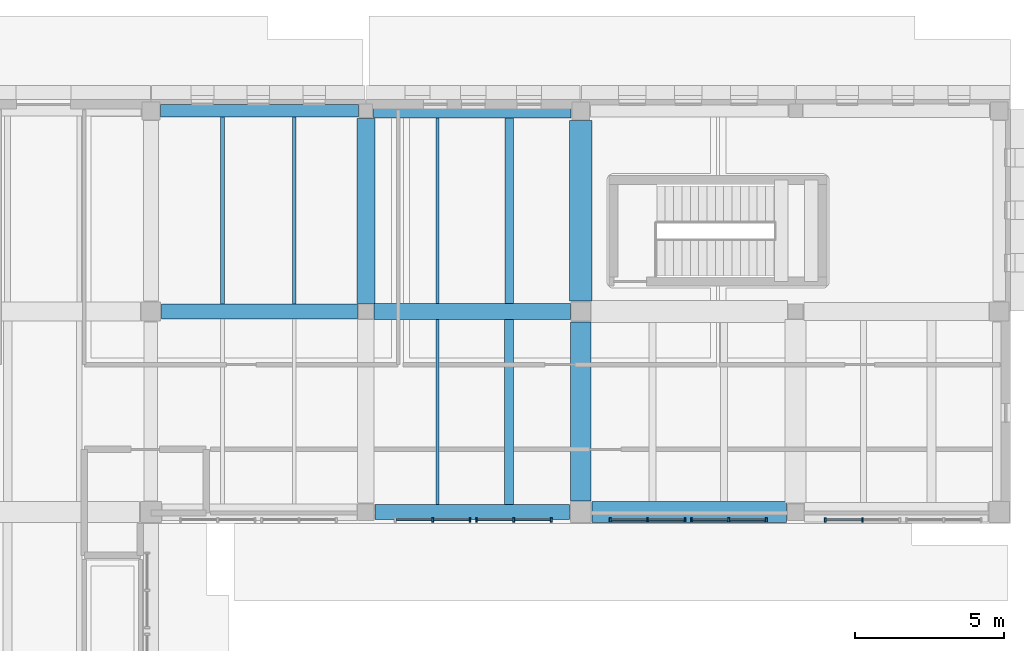
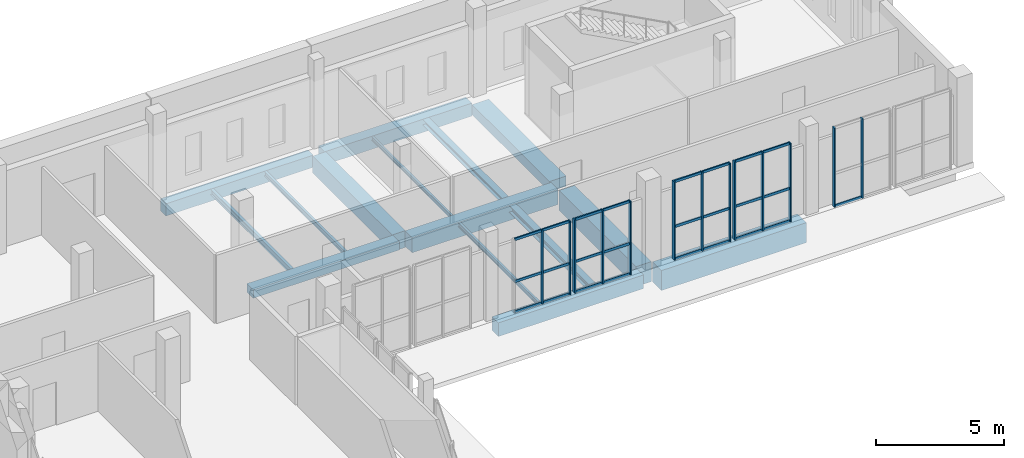
# One storey, part 24 of 77: 38 members, 15 beams, 5 elements without a shape of their own.
"""IFC4 building model written with IfcOpenShell, lengths in metres."""

from ifc_helpers import new_model, si_unit, direction, frame, origin, origin_2d, place, context, subcontext, project, spatial, rectangle, i_section, extrude, material, layer, layer_set, material_profile, profile_set, type_object, element, aggregate, save


model = new_model("IFC4")

# Units and contexts
model_context = context("Model", 3, precision=1e-05, world=origin(), true_north=direction((0.0, 1.0)))
body_context = subcontext(model_context, "Body", "Model", "MODEL_VIEW")
ifc_project = project(units=[si_unit("LENGTHUNIT", "METRE"), si_unit("AREAUNIT", "SQUARE_METRE"), si_unit("VOLUMEUNIT", "CUBIC_METRE"), si_unit("PLANEANGLEUNIT", "RADIAN"), si_unit("MASSUNIT", "GRAM", prefix="KILO")], contexts=[model_context])

# Site, building, storey
site_placement = place(None, origin())
site = spatial("IfcSite", under=ifc_project, at=site_placement, CompositionType="ELEMENT")
building_placement = place(site_placement, origin())
building = spatial("IfcBuilding", under=site, at=building_placement, Name="Vardoun Plaza Health Centre", CompositionType="ELEMENT")
storey_placement = place(building_placement, origin())
storey = spatial("IfcBuildingStorey", under=building, at=storey_placement, Name="L00", CompositionType="ELEMENT", Elevation=0.0)

# Beams
ifc_material_1 = material(Name="Concrete C35/45", Category="concrete")
ifc_material_profile_1 = material_profile(ifc_material_1, rectangle(XDim=0.419921875, YDim=0.580078125, at=origin_2d()), Name="RC-BM 420x580")
ifc_profile_set_1 = profile_set([ifc_material_profile_1], Name="Concrete C35/45")
beam_type_1 = type_object("IfcBeamType", Name="B-10", PredefinedType="SPANDREL", material=ifc_profile_set_1)
beam_1_placement = place(storey_placement, frame((19.22509765625, 114.919921875, -0.554931640625), z_axis=(1.0, 0.0, 0.0), x_axis=(0.0, 1.0, 0.0)))
element("IfcBeam", 1, at=beam_1_placement, inside=storey, type_object=beam_type_1, Name="V3 L00 Beam B-V3-L00-X15", PredefinedType="SPANDREL", context=body_context, shape_type="SweptSolid", body=[
    extrude(rectangle(XDim=0.419921875, YDim=0.580078125, at=origin_2d()), origin(), (0.0, 0.0, 1.0), 6.625),
])
ifc_material_2 = material(Name="Concrete C35/45", Category="concrete")
ifc_material_profile_2 = material_profile(ifc_material_2, rectangle(XDim=0.47998046875, YDim=0.6201171875, at=origin_2d()), Name="RC-BM 480x620")
ifc_profile_set_2 = profile_set([ifc_material_profile_2], Name="Concrete C35/45")
beam_type_2 = type_object("IfcBeamType", Name="B-12", PredefinedType="SPANDREL", material=ifc_profile_set_2)
beam_2_placement = place(storey_placement, frame((26.35009765625, 114.919921875, -0.574951171875), z_axis=(1.0, 0.0, 0.0), x_axis=(0.0, 1.0, 0.0)))
element("IfcBeam", 2, at=beam_2_placement, inside=storey, type_object=beam_type_2, Name="V3 L00 Beam B-V3-L00-X18", PredefinedType="SPANDREL", context=body_context, shape_type="SweptSolid", body=[
    extrude(rectangle(XDim=0.47998046875, YDim=0.6201171875, at=origin_2d()), origin(), (0.0, 0.0, 1.0), 6.625),
])
ifc_material_3 = material(Name="Concrete C35/45", Category="concrete")
ifc_material_profile_3 = material_profile(ifc_material_3, rectangle(XDim=0.5, YDim=0.39990234375, at=origin_2d()), Name="RC-BM 500x400")
ifc_profile_set_3 = profile_set([ifc_material_profile_3], Name="Concrete C35/45")
beam_type_3 = type_object("IfcBeamType", Name="B-02", PredefinedType="BEAM", material=ifc_profile_set_3)
beam_3_placement = place(storey_placement, frame((19.25, 108.199951171875, -0.465087890625), z_axis=(1.0, 0.0, 0.0), x_axis=(0.0, 1.0, 0.0)))
element("IfcBeam", 3, at=beam_3_placement, inside=storey, type_object=beam_type_3, Name="V3 L00 Beam B-V3-L00-X14", PredefinedType="BEAM", context=body_context, shape_type="SweptSolid", body=[
    extrude(rectangle(XDim=0.5, YDim=0.39990234375, at=origin_2d()), origin(), (0.0, 0.0, 1.0), 6.574951171875),
])
ifc_material_4 = material(Name="Concrete C40/50", Category="concrete")
ifc_material_profile_4 = material_profile(ifc_material_4, rectangle(XDim=0.5, YDim=0.64990234375, at=origin_2d()), Name="RC-BM 500x650")
ifc_profile_set_4 = profile_set([ifc_material_profile_4], Name="Concrete C40/50")
beam_type_4 = type_object("IfcBeamType", Name="B-13", PredefinedType="BEAM", material=ifc_profile_set_4)
beam_4_placement = place(storey_placement, frame((26.39990234375, 101.47998046875, -0.590087890625), z_axis=(1.0, 0.0, 0.0), x_axis=(0.0, 1.0, 0.0)))
element("IfcBeam", 4, at=beam_4_placement, inside=storey, type_object=beam_type_4, Name="V3 L00 Beam B-V3-L00-X16", PredefinedType="BEAM", context=body_context, shape_type="SweptSolid", body=[
    extrude(rectangle(XDim=0.5, YDim=0.64990234375, at=origin_2d()), origin(), (0.0, 0.0, 1.0), 6.525146484375),
])
ifc_material_5 = material(Name="Concrete C40/50", Category="concrete")
ifc_material_profile_5 = material_profile(ifc_material_5, rectangle(XDim=0.550048828125, YDim=0.719970703125, at=origin_2d()), Name="RC-BM 550x720")
ifc_profile_set_5 = profile_set([ifc_material_profile_5], Name="Concrete C40/50")
beam_type_5 = type_object("IfcBeamType", Name="B-14", PredefinedType="BEAM", material=ifc_profile_set_5)
beam_5_placement = place(storey_placement, frame((26.375, 108.199951171875, -0.625), z_axis=(1.0, 0.0, 0.0), x_axis=(0.0, 1.0, 0.0)))
element("IfcBeam", 5, at=beam_5_placement, inside=storey, type_object=beam_type_5, Name="V3 L00 Beam B-V3-L00-X17", PredefinedType="BEAM", context=body_context, shape_type="SweptSolid", body=[
    extrude(rectangle(XDim=0.550048828125, YDim=0.719970703125, at=origin_2d()), origin(), (0.0, 0.0, 1.0), 6.574951171875),
])
ifc_material_6 = material(Name="Concrete C40/50", Category="concrete")
ifc_material_profile_6 = material_profile(ifc_material_6, rectangle(XDim=0.60009765625, YDim=0.800048828125, at=origin_2d()), Name="RC-BM 600x800")
ifc_profile_set_6 = profile_set([ifc_material_profile_6], Name="Concrete C40/50")
beam_type_6 = type_object("IfcBeamType", Name="B-15", PredefinedType="JOIST", material=ifc_profile_set_6)
beam_6_placement = place(storey_placement, frame((26.10009765625, 108.47509765625, -0.6650390625), z_axis=(0.0, 1.0, 0.0), x_axis=(-1.0, 0.0, 0.0)))
element("IfcBeam", 6, at=beam_6_placement, inside=storey, type_object=beam_type_6, Name="V3 L00 Beam B-V3-L00-Y40", PredefinedType="JOIST", context=body_context, shape_type="SweptSolid", body=[
    extrude(rectangle(XDim=0.60009765625, YDim=0.800048828125, at=origin_2d()), origin(), (0.0, 0.0, 1.0), 6.19482421875),
])
ifc_material_7 = material(Name="Concrete C40/50", Category="concrete")
ifc_material_profile_7 = material_profile(ifc_material_7, rectangle(XDim=0.699951171875, YDim=0.949951171875, at=origin_2d()), Name="RC-BM 700x950")
ifc_profile_set_7 = profile_set([ifc_material_profile_7], Name="Concrete C40/50")
beam_type_7 = type_object("IfcBeamType", Name="B-16", PredefinedType="LINTEL", material=ifc_profile_set_7)
beam_7_placement = place(storey_placement, frame((33.675048828125, 101.47998046875, -0.739990234375), z_axis=(1.0, 0.0, 0.0), x_axis=(0.0, 1.0, 0.0)))
element("IfcBeam", 7, at=beam_7_placement, inside=storey, type_object=beam_type_7, Name="V3 L00 Beam B-V3-L00-X19", PredefinedType="LINTEL", context=body_context, shape_type="SweptSolid", body=[
    extrude(rectangle(XDim=0.699951171875, YDim=0.949951171875, at=origin_2d()), origin(), (0.0, 0.0, 1.0), 6.52490234375),
])
beam_8_placement = place(storey_placement, frame((33.300048828125, 101.85498046875, -0.739990234375), z_axis=(0.0, 1.0, 0.0), x_axis=(-1.0, 0.0, 0.0)))
element("IfcBeam", 8, at=beam_8_placement, inside=storey, type_object=beam_type_7, Name="V3 L00 Beam B-V3-L00-Y41", PredefinedType="LINTEL", context=body_context, shape_type="SweptSolid", body=[
    extrude(rectangle(XDim=0.699951171875, YDim=0.949951171875, at=origin_2d()), origin(), (0.0, 0.0, 1.0), 5.9951171875),
])
ifc_material_8 = material(Name="Concrete C35/45", Category="concrete")
ifc_material_profile_8 = material_profile(ifc_material_8, rectangle(XDim=0.75, YDim=0.47998046875, at=origin_2d()), Name="RC-BM 750x480")
ifc_profile_set_8 = profile_set([ifc_material_profile_8], Name="Concrete C35/45")
beam_type_8 = type_object("IfcBeamType", Name="B-07", PredefinedType="BEAM", material=ifc_profile_set_8)
beam_9_placement = place(storey_placement, frame((33.300048828125, 108.550048828125, -0.5048828125), z_axis=(0.0, 1.0, 0.0), x_axis=(-1.0, 0.0, 0.0)))
element("IfcBeam", 9, at=beam_9_placement, inside=storey, type_object=beam_type_8, Name="V3 L00 Beam B-V3-L00-Y42", PredefinedType="BEAM", context=body_context, shape_type="SweptSolid", body=[
    extrude(rectangle(XDim=0.75, YDim=0.47998046875, at=origin_2d()), origin(), (0.0, 0.0, 1.0), 6.044921875),
])
ifc_material_9 = material(Name="Steel S355J2", Category="steel")
ifc_material_profile_9 = material_profile(ifc_material_9, i_section(OverallWidth=0.280029296875, OverallDepth=0.27001953125, WebThickness=0.008056640625, FlangeThickness=0.012939453125, FilletRadius=0.02392578125, at=origin_2d()), Name="HEA 280")
ifc_profile_set_9 = profile_set([ifc_material_profile_9], Name="Steel S355J2")
beam_type_9 = type_object("IfcBeamType", Name="SB-06", PredefinedType="BEAM", material=ifc_profile_set_9)
beam_10_placement = place(storey_placement, frame((30.900146484375, 108.47509765625, -0.39990234375), z_axis=(0.0, 1.0, 0.0), x_axis=(-1.0, 0.0, 0.0)))
element("IfcBeam", 10, at=beam_10_placement, inside=storey, type_object=beam_type_9, Name="V3 L00 Secondary Floor Beam SJ-V3-L00-24", PredefinedType="BEAM", context=body_context, shape_type="SweptSolid", body=[
    extrude(i_section(OverallWidth=0.280029296875, OverallDepth=0.27001953125, WebThickness=0.008056640625, FlangeThickness=0.012939453125, FilletRadius=0.02392578125, at=origin_2d()), origin(), (0.0, 0.0, 1.0), 6.204833984375),
])
ifc_material_10 = material(Name="Steel S355J2", Category="steel")
ifc_material_profile_10 = material_profile(ifc_material_10, i_section(OverallWidth=0.300048828125, OverallDepth=0.330078125, WebThickness=0.009521484375, FlangeThickness=0.0166015625, FilletRadius=0.027099609375, at=origin_2d()), Name="HEA 340")
ifc_profile_set_10 = profile_set([ifc_material_profile_10], Name="Steel S355J2")
beam_type_10 = type_object("IfcBeamType", Name="SB-04", PredefinedType="BEAM", material=ifc_profile_set_10)
beam_11_placement = place(storey_placement, frame((30.900146484375, 101.72998046875, -0.429931640625), z_axis=(0.0, 1.0, 0.0), x_axis=(-1.0, 0.0, 0.0)))
element("IfcBeam", 11, at=beam_11_placement, inside=storey, type_object=beam_type_10, Name="V3 L00 Secondary Floor Beam SJ-V3-L00-23", PredefinedType="BEAM", context=body_context, shape_type="SweptSolid", body=[
    extrude(i_section(OverallWidth=0.300048828125, OverallDepth=0.330078125, WebThickness=0.009521484375, FlangeThickness=0.0166015625, FilletRadius=0.027099609375, at=origin_2d()), origin(), (0.0, 0.0, 1.0), 6.195068359375),
])
ifc_material_11 = material(Name="Steel S355J2", Category="steel")
ifc_material_profile_11 = material_profile(ifc_material_11, i_section(OverallWidth=0.091064453125, OverallDepth=0.179931640625, WebThickness=0.00537109375, FlangeThickness=0.008056640625, FilletRadius=0.009033203125, at=origin_2d()), Name="IPE 180")
ifc_profile_set_11 = profile_set([ifc_material_profile_11], Name="Steel S355J2")
beam_type_11 = type_object("IfcBeamType", Name="SB-20", PredefinedType="SPANDREL", material=ifc_profile_set_11)
beam_12_placement = place(storey_placement, frame((28.499755859375, 108.47509765625, -0.35498046875), z_axis=(0.0, 1.0, 0.0), x_axis=(-1.0, 0.0, 0.0)))
element("IfcBeam", 12, at=beam_12_placement, inside=storey, type_object=beam_type_11, Name="V3 L00 Secondary Floor Beam SJ-V3-L00-22", PredefinedType="SPANDREL", context=body_context, shape_type="SweptSolid", body=[
    extrude(i_section(OverallWidth=0.091064453125, OverallDepth=0.179931640625, WebThickness=0.00537109375, FlangeThickness=0.008056640625, FilletRadius=0.009033203125, at=origin_2d()), origin(), (0.0, 0.0, 1.0), 6.204833984375),
])
ifc_material_12 = material(Name="Steel S355J2", Category="steel")
ifc_material_profile_12 = material_profile(ifc_material_12, i_section(OverallWidth=0.10009765625, OverallDepth=0.199951171875, WebThickness=0.005615234375, FlangeThickness=0.008544921875, FilletRadius=0.011962890625, at=origin_2d()), Name="IPE 200")
ifc_profile_set_12 = profile_set([ifc_material_profile_12], Name="Steel S355J2")
beam_type_12 = type_object("IfcBeamType", Name="SB-19", PredefinedType="SPANDREL", material=ifc_profile_set_12)
beam_13_placement = place(storey_placement, frame((28.499755859375, 101.72998046875, -0.364990234375), z_axis=(0.0, 1.0, 0.0), x_axis=(-1.0, 0.0, 0.0)))
element("IfcBeam", 13, at=beam_13_placement, inside=storey, type_object=beam_type_12, Name="V3 L00 Secondary Floor Beam SJ-V3-L00-21", PredefinedType="SPANDREL", context=body_context, shape_type="SweptSolid", body=[
    extrude(i_section(OverallWidth=0.10009765625, OverallDepth=0.199951171875, WebThickness=0.005615234375, FlangeThickness=0.008544921875, FilletRadius=0.011962890625, at=origin_2d()), origin(), (0.0, 0.0, 1.0), 6.195068359375),
])
ifc_material_13 = material(Name="Steel S355J2", Category="steel")
ifc_material_profile_13 = material_profile(ifc_material_13, i_section(OverallWidth=0.110107421875, OverallDepth=0.219970703125, WebThickness=0.005859375, FlangeThickness=0.00927734375, FilletRadius=0.011962890625, at=origin_2d()), Name="IPE 220")
ifc_profile_set_13 = profile_set([ifc_material_profile_13], Name="Steel S355J2")
beam_type_13 = type_object("IfcBeamType", Name="SB-18", PredefinedType="JOIST", material=ifc_profile_set_13)
beam_14_placement = place(storey_placement, frame((23.7001953125, 108.449951171875, -0.375), z_axis=(0.0, 1.0, 0.0), x_axis=(-1.0, 0.0, 0.0)))
element("IfcBeam", 14, at=beam_14_placement, inside=storey, type_object=beam_type_13, Name="V3 L00 Secondary Floor Beam SJ-V3-L00-20", PredefinedType="JOIST", context=body_context, shape_type="SweptSolid", body=[
    extrude(i_section(OverallWidth=0.110107421875, OverallDepth=0.219970703125, WebThickness=0.005859375, FlangeThickness=0.00927734375, FilletRadius=0.011962890625, at=origin_2d()), origin(), (0.0, 0.0, 1.0), 6.260009765625),
])
ifc_material_14 = material(Name="Steel S355J2", Category="steel")
ifc_material_profile_14 = material_profile(ifc_material_14, i_section(OverallWidth=0.135009765625, OverallDepth=0.27001953125, WebThickness=0.006591796875, FlangeThickness=0.01025390625, FilletRadius=0.014892578125, at=origin_2d()), Name="IPE 270")
ifc_profile_set_14 = profile_set([ifc_material_profile_14], Name="Steel S355J2")
beam_type_14 = type_object("IfcBeamType", Name="SB-16", PredefinedType="JOIST", material=ifc_profile_set_14)
beam_15_placement = place(storey_placement, frame((21.2998046875, 108.449951171875, -0.39990234375), z_axis=(0.0, 1.0, 0.0), x_axis=(-1.0, 0.0, 0.0)))
element("IfcBeam", 15, at=beam_15_placement, inside=storey, type_object=beam_type_14, Name="V3 L00 Secondary Floor Beam SJ-V3-L00-18", PredefinedType="JOIST", context=body_context, shape_type="SweptSolid", body=[
    extrude(i_section(OverallWidth=0.135009765625, OverallDepth=0.27001953125, WebThickness=0.006591796875, FlangeThickness=0.01025390625, FilletRadius=0.014892578125, at=origin_2d()), origin(), (0.0, 0.0, 1.0), 6.260009765625),
])

# Curtain wall, members
ifc_material_15 = material(Name="Aluminium Alloy EN AW-6063-T6 and Low-E Glass", Category="aluminium")
ifc_layer = layer(ifc_material_15, 0.159912109375)
ifc_layer_set = layer_set([ifc_layer], Name="Aluminium Alloy EN AW-6063-T6 and Low-E Glass")
curtain_wall_type = type_object("IfcCurtainWallType", Name="CW-02", PredefinedType="USERDEFINED", material=ifc_layer_set)
curtain_wall_1_placement = place(storey_placement, origin())
curtain_wall_1 = element("IfcCurtainWall", 16, at=curtain_wall_1_placement, inside=storey, type_object=curtain_wall_type, Name="Curtain Wall CW-V3-046", ObjectType="COURTYARD_CURTAIN_WALL", PredefinedType="USERDEFINED")
ifc_material_16 = material(Name="Aluminium Alloy EN AW-6063-T6", Category="aluminium")
ifc_material_profile_15 = material_profile(ifc_material_16, rectangle(XDim=0.159912109375, YDim=0.06005859375, at=origin_2d()), Name="CWM 60x160")
ifc_profile_set_15 = profile_set([ifc_material_profile_15], Name="Aluminium Alloy EN AW-6063-T6")
member_type_1 = type_object("IfcMemberType", Name="CW-M1", PredefinedType="MULLION", material=ifc_profile_set_15)
member_1_placement = place(storey_placement, frame((42.739990234375, 101.219970703125, 0.0), z_axis=(0.0, 0.0, 1.0), x_axis=(0.0, -1.0, 0.0)))
member_1 = element("IfcMember", 17, at=member_1_placement, type_object=member_type_1, Name="CW-V3-046 mullion 2", PredefinedType="MULLION", context=body_context, shape_type="SweptSolid", body=[
    extrude(rectangle(XDim=0.159912109375, YDim=0.06005859375, at=origin_2d()), origin(), (0.0, 0.0, 1.0), 3.77001953125),
])
member_2_placement = place(storey_placement, frame((41.489990234375, 101.219970703125, 0.0), z_axis=(0.0, 0.0, 1.0), x_axis=(0.0, -1.0, 0.0)))
member_2 = element("IfcMember", 18, at=member_2_placement, type_object=member_type_1, Name="CW-V3-046 mullion 3", PredefinedType="MULLION", context=body_context, shape_type="SweptSolid", body=[
    extrude(rectangle(XDim=0.159912109375, YDim=0.06005859375, at=origin_2d()), origin(), (0.0, 0.0, 1.0), 3.77001953125),
])

curtain_wall_2_placement = place(storey_placement, origin())
curtain_wall_2 = element("IfcCurtainWall", 19, at=curtain_wall_2_placement, inside=storey, type_object=curtain_wall_type, Name="Curtain Wall CW-V3-047", ObjectType="COURTYARD_CURTAIN_WALL", PredefinedType="USERDEFINED")
member_3_placement = place(storey_placement, frame((39.510009765625, 101.219970703125, 0.0), z_axis=(0.0, 0.0, 1.0), x_axis=(0.0, -1.0, 0.0)))
member_3 = element("IfcMember", 20, at=member_3_placement, type_object=member_type_1, Name="CW-V3-047 mullion 1", PredefinedType="MULLION", context=body_context, shape_type="SweptSolid", body=[
    extrude(rectangle(XDim=0.159912109375, YDim=0.06005859375, at=origin_2d()), origin(), (0.0, 0.0, 1.0), 3.739990234375),
])
member_4_placement = place(storey_placement, frame((38.260009765625, 101.219970703125, 0.0), z_axis=(0.0, 0.0, 1.0), x_axis=(0.0, -1.0, 0.0)))
member_4 = element("IfcMember", 21, at=member_4_placement, type_object=member_type_1, Name="CW-V3-047 mullion 2", PredefinedType="MULLION", context=body_context, shape_type="SweptSolid", body=[
    extrude(rectangle(XDim=0.159912109375, YDim=0.06005859375, at=origin_2d()), origin(), (0.0, 0.0, 1.0), 3.739990234375),
])
member_5_placement = place(storey_placement, frame((37.010009765625, 101.219970703125, 0.0), z_axis=(0.0, 0.0, 1.0), x_axis=(0.0, -1.0, 0.0)))
member_5 = element("IfcMember", 22, at=member_5_placement, type_object=member_type_1, Name="CW-V3-047 mullion 3", PredefinedType="MULLION", context=body_context, shape_type="SweptSolid", body=[
    extrude(rectangle(XDim=0.159912109375, YDim=0.06005859375, at=origin_2d()), origin(), (0.0, 0.0, 1.0), 3.739990234375),
])

curtain_wall_3_placement = place(storey_placement, origin())
curtain_wall_3 = element("IfcCurtainWall", 23, at=curtain_wall_3_placement, inside=storey, type_object=curtain_wall_type, Name="Curtain Wall CW-V3-048", ObjectType="COURTYARD_CURTAIN_WALL", PredefinedType="USERDEFINED")
member_6_placement = place(storey_placement, frame((36.7900390625, 101.219970703125, 0.0), z_axis=(0.0, 0.0, 1.0), x_axis=(0.0, -1.0, 0.0)))
member_6 = element("IfcMember", 24, at=member_6_placement, type_object=member_type_1, Name="CW-V3-048 mullion 1", PredefinedType="MULLION", context=body_context, shape_type="SweptSolid", body=[
    extrude(rectangle(XDim=0.159912109375, YDim=0.06005859375, at=origin_2d()), origin(), (0.0, 0.0, 1.0), 3.739990234375),
])
member_7_placement = place(storey_placement, frame((35.5400390625, 101.219970703125, 0.0), z_axis=(0.0, 0.0, 1.0), x_axis=(0.0, -1.0, 0.0)))
member_7 = element("IfcMember", 25, at=member_7_placement, type_object=member_type_1, Name="CW-V3-048 mullion 2", PredefinedType="MULLION", context=body_context, shape_type="SweptSolid", body=[
    extrude(rectangle(XDim=0.159912109375, YDim=0.06005859375, at=origin_2d()), origin(), (0.0, 0.0, 1.0), 3.739990234375),
])
member_8_placement = place(storey_placement, frame((34.2900390625, 101.219970703125, 0.0), z_axis=(0.0, 0.0, 1.0), x_axis=(0.0, -1.0, 0.0)))
member_8 = element("IfcMember", 26, at=member_8_placement, type_object=member_type_1, Name="CW-V3-048 mullion 3", PredefinedType="MULLION", context=body_context, shape_type="SweptSolid", body=[
    extrude(rectangle(XDim=0.159912109375, YDim=0.06005859375, at=origin_2d()), origin(), (0.0, 0.0, 1.0), 3.739990234375),
])

curtain_wall_4_placement = place(storey_placement, origin())
curtain_wall_4 = element("IfcCurtainWall", 27, at=curtain_wall_4_placement, inside=storey, type_object=curtain_wall_type, Name="Curtain Wall CW-V3-049", ObjectType="COURTYARD_CURTAIN_WALL", PredefinedType="USERDEFINED")
member_9_placement = place(storey_placement, frame((32.31005859375, 101.219970703125, 0.0), z_axis=(0.0, 0.0, 1.0), x_axis=(0.0, -1.0, 0.0)))
member_9 = element("IfcMember", 28, at=member_9_placement, type_object=member_type_1, Name="CW-V3-049 mullion 1", PredefinedType="MULLION", context=body_context, shape_type="SweptSolid", body=[
    extrude(rectangle(XDim=0.159912109375, YDim=0.06005859375, at=origin_2d()), origin(), (0.0, 0.0, 1.0), 3.5),
])
member_10_placement = place(storey_placement, frame((31.06005859375, 101.219970703125, 0.0), z_axis=(0.0, 0.0, 1.0), x_axis=(0.0, -1.0, 0.0)))
member_10 = element("IfcMember", 29, at=member_10_placement, type_object=member_type_1, Name="CW-V3-049 mullion 2", PredefinedType="MULLION", context=body_context, shape_type="SweptSolid", body=[
    extrude(rectangle(XDim=0.159912109375, YDim=0.06005859375, at=origin_2d()), origin(), (0.0, 0.0, 1.0), 3.5),
])
member_11_placement = place(storey_placement, frame((29.81005859375, 101.219970703125, 0.0), z_axis=(0.0, 0.0, 1.0), x_axis=(0.0, -1.0, 0.0)))
member_11 = element("IfcMember", 30, at=member_11_placement, type_object=member_type_1, Name="CW-V3-049 mullion 3", PredefinedType="MULLION", context=body_context, shape_type="SweptSolid", body=[
    extrude(rectangle(XDim=0.159912109375, YDim=0.06005859375, at=origin_2d()), origin(), (0.0, 0.0, 1.0), 3.5),
])

curtain_wall_5_placement = place(storey_placement, origin())
curtain_wall_5 = element("IfcCurtainWall", 31, at=curtain_wall_5_placement, inside=storey, type_object=curtain_wall_type, Name="Curtain Wall CW-V3-050", ObjectType="COURTYARD_CURTAIN_WALL", PredefinedType="USERDEFINED")
member_12_placement = place(storey_placement, frame((29.590087890625, 101.219970703125, 0.0), z_axis=(0.0, 0.0, 1.0), x_axis=(0.0, -1.0, 0.0)))
member_12 = element("IfcMember", 32, at=member_12_placement, type_object=member_type_1, Name="CW-V3-050 mullion 1", PredefinedType="MULLION", context=body_context, shape_type="SweptSolid", body=[
    extrude(rectangle(XDim=0.159912109375, YDim=0.06005859375, at=origin_2d()), origin(), (0.0, 0.0, 1.0), 3.5),
])
member_13_placement = place(storey_placement, frame((28.340087890625, 101.219970703125, 0.0), z_axis=(0.0, 0.0, 1.0), x_axis=(0.0, -1.0, 0.0)))
member_13 = element("IfcMember", 33, at=member_13_placement, type_object=member_type_1, Name="CW-V3-050 mullion 2", PredefinedType="MULLION", context=body_context, shape_type="SweptSolid", body=[
    extrude(rectangle(XDim=0.159912109375, YDim=0.06005859375, at=origin_2d()), origin(), (0.0, 0.0, 1.0), 3.5),
])

# Member
ifc_material_17 = material(Name="Aluminium Alloy EN AW-6063-T6", Category="aluminium")
ifc_material_profile_16 = material_profile(ifc_material_17, rectangle(XDim=0.06005859375, YDim=0.1201171875, at=origin_2d()), Name="CWT 60x120")
ifc_profile_set_16 = profile_set([ifc_material_profile_16], Name="Aluminium Alloy EN AW-6063-T6")
member_type_2 = type_object("IfcMemberType", Name="CW-T1", PredefinedType="USERDEFINED", material=ifc_profile_set_16)
member_14_placement = place(storey_placement, frame((42.7099609375, 101.219970703125, 0.030029296875), z_axis=(-1.0, 0.0, 0.0), x_axis=(0.0, -1.0, 0.0)))
member_14 = element("IfcMember", 34, at=member_14_placement, type_object=member_type_2, Name="CW-V3-046 transom 2.1", ObjectType="TRANSOM", PredefinedType="USERDEFINED", context=body_context, shape_type="SweptSolid", body=[
    extrude(rectangle(XDim=0.06005859375, YDim=0.1201171875, at=origin_2d()), origin(), (0.0, 0.0, 1.0), 1.18994140625),
])

aggregate(curtain_wall_1, [member_1, member_2, member_14])

member_15_placement = place(storey_placement, frame((39.47998046875, 101.219970703125, 0.030029296875), z_axis=(-1.0, 0.0, 0.0), x_axis=(0.0, -1.0, 0.0)))
member_15 = element("IfcMember", 35, at=member_15_placement, type_object=member_type_2, Name="CW-V3-047 transom 1.1", ObjectType="TRANSOM", PredefinedType="USERDEFINED", context=body_context, shape_type="SweptSolid", body=[
    extrude(rectangle(XDim=0.06005859375, YDim=0.1201171875, at=origin_2d()), origin(), (0.0, 0.0, 1.0), 1.18994140625),
])

member_16_placement = place(storey_placement, frame((39.47998046875, 101.219970703125, 1.57080078125), z_axis=(-1.0, 0.0, 0.0), x_axis=(0.0, -1.0, 0.0)))
member_16 = element("IfcMember", 36, at=member_16_placement, type_object=member_type_2, Name="CW-V3-047 transom 1.2", ObjectType="TRANSOM", PredefinedType="USERDEFINED", context=body_context, shape_type="SweptSolid", body=[
    extrude(rectangle(XDim=0.06005859375, YDim=0.1201171875, at=origin_2d()), origin(), (0.0, 0.0, 1.0), 1.18994140625),
])

member_17_placement = place(storey_placement, frame((39.47998046875, 101.219970703125, 3.7099609375), z_axis=(-1.0, 0.0, 0.0), x_axis=(0.0, -1.0, 0.0)))
member_17 = element("IfcMember", 37, at=member_17_placement, type_object=member_type_2, Name="CW-V3-047 transom 1.3", ObjectType="TRANSOM", PredefinedType="USERDEFINED", context=body_context, shape_type="SweptSolid", body=[
    extrude(rectangle(XDim=0.06005859375, YDim=0.1201171875, at=origin_2d()), origin(), (0.0, 0.0, 1.0), 1.18994140625),
])

member_18_placement = place(storey_placement, frame((38.22998046875, 101.219970703125, 0.030029296875), z_axis=(-1.0, 0.0, 0.0), x_axis=(0.0, -1.0, 0.0)))
member_18 = element("IfcMember", 38, at=member_18_placement, type_object=member_type_2, Name="CW-V3-047 transom 2.1", ObjectType="TRANSOM", PredefinedType="USERDEFINED", context=body_context, shape_type="SweptSolid", body=[
    extrude(rectangle(XDim=0.06005859375, YDim=0.1201171875, at=origin_2d()), origin(), (0.0, 0.0, 1.0), 1.18994140625),
])

member_19_placement = place(storey_placement, frame((38.22998046875, 101.219970703125, 1.57080078125), z_axis=(-1.0, 0.0, 0.0), x_axis=(0.0, -1.0, 0.0)))
member_19 = element("IfcMember", 39, at=member_19_placement, type_object=member_type_2, Name="CW-V3-047 transom 2.2", ObjectType="TRANSOM", PredefinedType="USERDEFINED", context=body_context, shape_type="SweptSolid", body=[
    extrude(rectangle(XDim=0.06005859375, YDim=0.1201171875, at=origin_2d()), origin(), (0.0, 0.0, 1.0), 1.18994140625),
])

member_20_placement = place(storey_placement, frame((38.22998046875, 101.219970703125, 3.7099609375), z_axis=(-1.0, 0.0, 0.0), x_axis=(0.0, -1.0, 0.0)))
member_20 = element("IfcMember", 40, at=member_20_placement, type_object=member_type_2, Name="CW-V3-047 transom 2.3", ObjectType="TRANSOM", PredefinedType="USERDEFINED", context=body_context, shape_type="SweptSolid", body=[
    extrude(rectangle(XDim=0.06005859375, YDim=0.1201171875, at=origin_2d()), origin(), (0.0, 0.0, 1.0), 1.18994140625),
])

aggregate(curtain_wall_2, [member_3, member_4, member_5, member_15, member_16, member_17, member_18, member_19, member_20])

member_21_placement = place(storey_placement, frame((36.760009765625, 101.219970703125, 0.030029296875), z_axis=(-1.0, 0.0, 0.0), x_axis=(0.0, -1.0, 0.0)))
member_21 = element("IfcMember", 41, at=member_21_placement, type_object=member_type_2, Name="CW-V3-048 transom 1.1", ObjectType="TRANSOM", PredefinedType="USERDEFINED", context=body_context, shape_type="SweptSolid", body=[
    extrude(rectangle(XDim=0.06005859375, YDim=0.1201171875, at=origin_2d()), origin(), (0.0, 0.0, 1.0), 1.18994140625),
])

member_22_placement = place(storey_placement, frame((36.760009765625, 101.219970703125, 1.57080078125), z_axis=(-1.0, 0.0, 0.0), x_axis=(0.0, -1.0, 0.0)))
member_22 = element("IfcMember", 42, at=member_22_placement, type_object=member_type_2, Name="CW-V3-048 transom 1.2", ObjectType="TRANSOM", PredefinedType="USERDEFINED", context=body_context, shape_type="SweptSolid", body=[
    extrude(rectangle(XDim=0.06005859375, YDim=0.1201171875, at=origin_2d()), origin(), (0.0, 0.0, 1.0), 1.18994140625),
])

member_23_placement = place(storey_placement, frame((36.760009765625, 101.219970703125, 3.7099609375), z_axis=(-1.0, 0.0, 0.0), x_axis=(0.0, -1.0, 0.0)))
member_23 = element("IfcMember", 43, at=member_23_placement, type_object=member_type_2, Name="CW-V3-048 transom 1.3", ObjectType="TRANSOM", PredefinedType="USERDEFINED", context=body_context, shape_type="SweptSolid", body=[
    extrude(rectangle(XDim=0.06005859375, YDim=0.1201171875, at=origin_2d()), origin(), (0.0, 0.0, 1.0), 1.18994140625),
])

member_24_placement = place(storey_placement, frame((35.510009765625, 101.219970703125, 0.030029296875), z_axis=(-1.0, 0.0, 0.0), x_axis=(0.0, -1.0, 0.0)))
member_24 = element("IfcMember", 44, at=member_24_placement, type_object=member_type_2, Name="CW-V3-048 transom 2.1", ObjectType="TRANSOM", PredefinedType="USERDEFINED", context=body_context, shape_type="SweptSolid", body=[
    extrude(rectangle(XDim=0.06005859375, YDim=0.1201171875, at=origin_2d()), origin(), (0.0, 0.0, 1.0), 1.18994140625),
])

member_25_placement = place(storey_placement, frame((35.510009765625, 101.219970703125, 1.57080078125), z_axis=(-1.0, 0.0, 0.0), x_axis=(0.0, -1.0, 0.0)))
member_25 = element("IfcMember", 45, at=member_25_placement, type_object=member_type_2, Name="CW-V3-048 transom 2.2", ObjectType="TRANSOM", PredefinedType="USERDEFINED", context=body_context, shape_type="SweptSolid", body=[
    extrude(rectangle(XDim=0.06005859375, YDim=0.1201171875, at=origin_2d()), origin(), (0.0, 0.0, 1.0), 1.18994140625),
])

member_26_placement = place(storey_placement, frame((35.510009765625, 101.219970703125, 3.7099609375), z_axis=(-1.0, 0.0, 0.0), x_axis=(0.0, -1.0, 0.0)))
member_26 = element("IfcMember", 46, at=member_26_placement, type_object=member_type_2, Name="CW-V3-048 transom 2.3", ObjectType="TRANSOM", PredefinedType="USERDEFINED", context=body_context, shape_type="SweptSolid", body=[
    extrude(rectangle(XDim=0.06005859375, YDim=0.1201171875, at=origin_2d()), origin(), (0.0, 0.0, 1.0), 1.18994140625),
])

aggregate(curtain_wall_3, [member_6, member_7, member_8, member_21, member_22, member_23, member_24, member_25, member_26])

member_27_placement = place(storey_placement, frame((32.280029296875, 101.219970703125, 0.030029296875), z_axis=(-1.0, 0.0, 0.0), x_axis=(0.0, -1.0, 0.0)))
member_27 = element("IfcMember", 47, at=member_27_placement, type_object=member_type_2, Name="CW-V3-049 transom 1.1", ObjectType="TRANSOM", PredefinedType="USERDEFINED", context=body_context, shape_type="SweptSolid", body=[
    extrude(rectangle(XDim=0.06005859375, YDim=0.1201171875, at=origin_2d()), origin(), (0.0, 0.0, 1.0), 1.18994140625),
])

member_28_placement = place(storey_placement, frame((32.280029296875, 101.219970703125, 1.469970703125), z_axis=(-1.0, 0.0, 0.0), x_axis=(0.0, -1.0, 0.0)))
member_28 = element("IfcMember", 48, at=member_28_placement, type_object=member_type_2, Name="CW-V3-049 transom 1.2", ObjectType="TRANSOM", PredefinedType="USERDEFINED", context=body_context, shape_type="SweptSolid", body=[
    extrude(rectangle(XDim=0.06005859375, YDim=0.1201171875, at=origin_2d()), origin(), (0.0, 0.0, 1.0), 1.18994140625),
])

member_29_placement = place(storey_placement, frame((32.280029296875, 101.219970703125, 3.469970703125), z_axis=(-1.0, 0.0, 0.0), x_axis=(0.0, -1.0, 0.0)))
member_29 = element("IfcMember", 49, at=member_29_placement, type_object=member_type_2, Name="CW-V3-049 transom 1.3", ObjectType="TRANSOM", PredefinedType="USERDEFINED", context=body_context, shape_type="SweptSolid", body=[
    extrude(rectangle(XDim=0.06005859375, YDim=0.1201171875, at=origin_2d()), origin(), (0.0, 0.0, 1.0), 1.18994140625),
])

member_30_placement = place(storey_placement, frame((31.030029296875, 101.219970703125, 0.030029296875), z_axis=(-1.0, 0.0, 0.0), x_axis=(0.0, -1.0, 0.0)))
member_30 = element("IfcMember", 50, at=member_30_placement, type_object=member_type_2, Name="CW-V3-049 transom 2.1", ObjectType="TRANSOM", PredefinedType="USERDEFINED", context=body_context, shape_type="SweptSolid", body=[
    extrude(rectangle(XDim=0.06005859375, YDim=0.1201171875, at=origin_2d()), origin(), (0.0, 0.0, 1.0), 1.18994140625),
])

member_31_placement = place(storey_placement, frame((31.030029296875, 101.219970703125, 1.469970703125), z_axis=(-1.0, 0.0, 0.0), x_axis=(0.0, -1.0, 0.0)))
member_31 = element("IfcMember", 51, at=member_31_placement, type_object=member_type_2, Name="CW-V3-049 transom 2.2", ObjectType="TRANSOM", PredefinedType="USERDEFINED", context=body_context, shape_type="SweptSolid", body=[
    extrude(rectangle(XDim=0.06005859375, YDim=0.1201171875, at=origin_2d()), origin(), (0.0, 0.0, 1.0), 1.18994140625),
])

member_32_placement = place(storey_placement, frame((31.030029296875, 101.219970703125, 3.469970703125), z_axis=(-1.0, 0.0, 0.0), x_axis=(0.0, -1.0, 0.0)))
member_32 = element("IfcMember", 52, at=member_32_placement, type_object=member_type_2, Name="CW-V3-049 transom 2.3", ObjectType="TRANSOM", PredefinedType="USERDEFINED", context=body_context, shape_type="SweptSolid", body=[
    extrude(rectangle(XDim=0.06005859375, YDim=0.1201171875, at=origin_2d()), origin(), (0.0, 0.0, 1.0), 1.18994140625),
])

aggregate(curtain_wall_4, [member_9, member_10, member_11, member_27, member_28, member_29, member_30, member_31, member_32])

member_33_placement = place(storey_placement, frame((29.56005859375, 101.219970703125, 0.030029296875), z_axis=(-1.0, 0.0, 0.0), x_axis=(0.0, -1.0, 0.0)))
member_33 = element("IfcMember", 53, at=member_33_placement, type_object=member_type_2, Name="CW-V3-050 transom 1.1", ObjectType="TRANSOM", PredefinedType="USERDEFINED", context=body_context, shape_type="SweptSolid", body=[
    extrude(rectangle(XDim=0.06005859375, YDim=0.1201171875, at=origin_2d()), origin(), (0.0, 0.0, 1.0), 1.18994140625),
])

member_34_placement = place(storey_placement, frame((29.56005859375, 101.219970703125, 1.469970703125), z_axis=(-1.0, 0.0, 0.0), x_axis=(0.0, -1.0, 0.0)))
member_34 = element("IfcMember", 54, at=member_34_placement, type_object=member_type_2, Name="CW-V3-050 transom 1.2", ObjectType="TRANSOM", PredefinedType="USERDEFINED", context=body_context, shape_type="SweptSolid", body=[
    extrude(rectangle(XDim=0.06005859375, YDim=0.1201171875, at=origin_2d()), origin(), (0.0, 0.0, 1.0), 1.18994140625),
])

member_35_placement = place(storey_placement, frame((29.56005859375, 101.219970703125, 3.469970703125), z_axis=(-1.0, 0.0, 0.0), x_axis=(0.0, -1.0, 0.0)))
member_35 = element("IfcMember", 55, at=member_35_placement, type_object=member_type_2, Name="CW-V3-050 transom 1.3", ObjectType="TRANSOM", PredefinedType="USERDEFINED", context=body_context, shape_type="SweptSolid", body=[
    extrude(rectangle(XDim=0.06005859375, YDim=0.1201171875, at=origin_2d()), origin(), (0.0, 0.0, 1.0), 1.18994140625),
])

member_36_placement = place(storey_placement, frame((28.31005859375, 101.219970703125, 0.030029296875), z_axis=(-1.0, 0.0, 0.0), x_axis=(0.0, -1.0, 0.0)))
member_36 = element("IfcMember", 56, at=member_36_placement, type_object=member_type_2, Name="CW-V3-050 transom 2.1", ObjectType="TRANSOM", PredefinedType="USERDEFINED", context=body_context, shape_type="SweptSolid", body=[
    extrude(rectangle(XDim=0.06005859375, YDim=0.1201171875, at=origin_2d()), origin(), (0.0, 0.0, 1.0), 1.18994140625),
])

member_37_placement = place(storey_placement, frame((28.31005859375, 101.219970703125, 1.469970703125), z_axis=(-1.0, 0.0, 0.0), x_axis=(0.0, -1.0, 0.0)))
member_37 = element("IfcMember", 57, at=member_37_placement, type_object=member_type_2, Name="CW-V3-050 transom 2.2", ObjectType="TRANSOM", PredefinedType="USERDEFINED", context=body_context, shape_type="SweptSolid", body=[
    extrude(rectangle(XDim=0.06005859375, YDim=0.1201171875, at=origin_2d()), origin(), (0.0, 0.0, 1.0), 1.18994140625),
])

member_38_placement = place(storey_placement, frame((28.31005859375, 101.219970703125, 3.469970703125), z_axis=(-1.0, 0.0, 0.0), x_axis=(0.0, -1.0, 0.0)))
member_38 = element("IfcMember", 58, at=member_38_placement, type_object=member_type_2, Name="CW-V3-050 transom 2.3", ObjectType="TRANSOM", PredefinedType="USERDEFINED", context=body_context, shape_type="SweptSolid", body=[
    extrude(rectangle(XDim=0.06005859375, YDim=0.1201171875, at=origin_2d()), origin(), (0.0, 0.0, 1.0), 1.18994140625),
])

aggregate(curtain_wall_5, [member_12, member_13, member_33, member_34, member_35, member_36, member_37, member_38])

save(model, "model.ifc")
